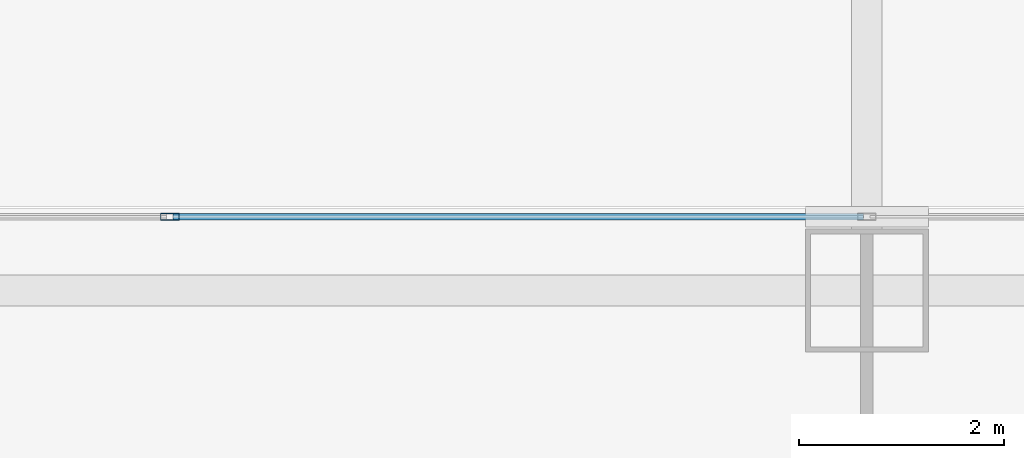
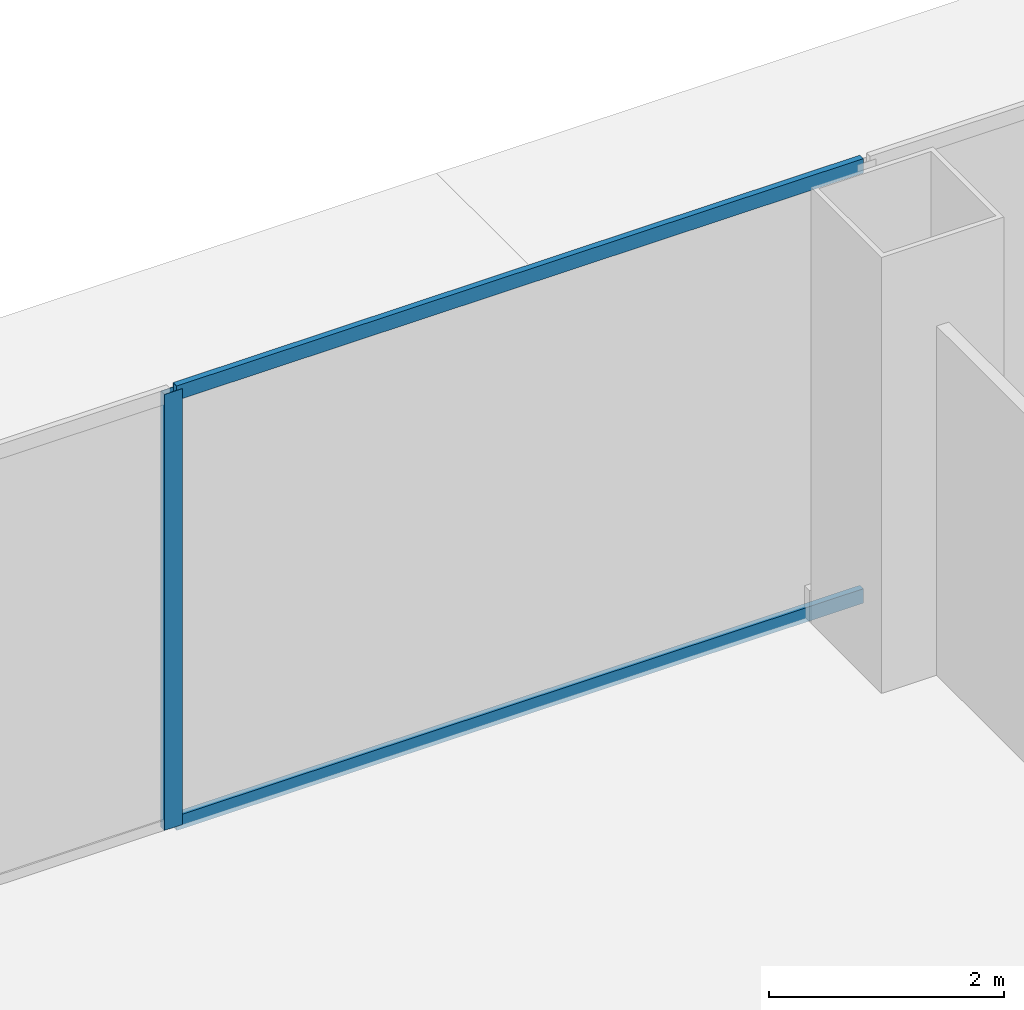
# One storey, part 22 of 42: 3 members, 1 element without a shape of its own.
"""IFC4 building model written with IfcOpenShell, lengths in metres."""

from ifc_helpers import new_model, si_unit, direction, frame, origin, origin_2d, place, context, subcontext, project, spatial, hollow_rectangle, extrude, source, transform, mapped, material, layer, layer_set, material_profile, profile_set, type_object, element, aggregate, save


model = new_model("IFC4")

# Units and contexts
model_context = context("Model", 3, precision=1e-05, world=origin(), true_north=direction((0.0, 1.0)))
body_context = subcontext(model_context, "Body", "Model", "MODEL_VIEW")
ifc_project = project(units=[si_unit("LENGTHUNIT", "METRE"), si_unit("AREAUNIT", "SQUARE_METRE"), si_unit("VOLUMEUNIT", "CUBIC_METRE"), si_unit("PLANEANGLEUNIT", "RADIAN"), si_unit("MASSUNIT", "GRAM", prefix="KILO"), si_unit("THERMODYNAMICTEMPERATUREUNIT", "KELVIN"), si_unit("POWERUNIT", "WATT")], contexts=[model_context])

# Site, building, storey
site_placement = place(None, origin())
site = spatial("IfcSite", under=ifc_project, at=site_placement, CompositionType="ELEMENT")
building_placement = place(site_placement, origin())
building = spatial("IfcBuilding", under=site, at=building_placement, Name="Yunzhuo Pagoda Commons", CompositionType="ELEMENT")
storey_placement = place(building_placement, frame((0.0, 0.0, 4.800048828125)))
storey = spatial("IfcBuildingStorey", under=building, at=storey_placement, Name="L02", CompositionType="ELEMENT", Elevation=4.800048828125)

# Curtain wall, members
ifc_material = material(Name="Anodized aluminium 6063-T6", Category="aluminium")
ifc_layer = layer(ifc_material, 0.179931640625)
ifc_layer_set = layer_set([ifc_layer], Name="Anodized aluminium 6063-T6")
curtain_wall_type = type_object("IfcCurtainWallType", Name="CW-POD Waterfront Podium Curtain Wall", PredefinedType="NOTDEFINED", material=ifc_layer_set)
curtain_wall_placement = place(storey_placement, origin())
curtain_wall = element("IfcCurtainWall", 1, at=curtain_wall_placement, inside=storey, type_object=curtain_wall_type, Name="L02 curtain wall CW-L02-N3", PredefinedType="NOTDEFINED")
ifc_material_profile_1 = material_profile(ifc_material, hollow_rectangle(XDim=0.06494140625, YDim=0.179931640625, WallThickness=0.00390625, at=origin_2d()), Name="Anodized aluminium 6063-T6")
ifc_profile_set_1 = profile_set([ifc_material_profile_1], Name="Anodized aluminium 6063-T6")
member_type_1 = type_object("IfcMemberType", Name="CW-POD-M Mullion RHS 180x65x4", PredefinedType="MULLION", material=ifc_profile_set_1)
shared_shape_1 = source(origin(), body_context, "Body", "SweptSolid", [
    extrude(hollow_rectangle(XDim=0.06494140625, YDim=0.179931640625, WallThickness=0.00390625, at=origin_2d()), origin(), (0.0, 0.0, 1.0), 4.52001953125),
])
member_1_placement = place(storey_placement, frame((41.199951171875, 89.919921875, 0.0), z_axis=(0.0, 0.0, 1.0), x_axis=(0.0, 1.0, 0.0)))
member_1 = element("IfcMember", 2, at=member_1_placement, type_object=member_type_1, Name="CW mullion 2", PredefinedType="MULLION", context=body_context, shape_type="MappedRepresentation", body=[
    mapped(shared_shape_1, transform((0.0, 0.0, 0.0), scale=1.0)),
])
ifc_material_profile_2 = material_profile(ifc_material, hollow_rectangle(XDim=0.06005859375, YDim=0.14990234375, WallThickness=0.00390625, at=origin_2d()), Name="Anodized aluminium 6063-T6")
ifc_profile_set_2 = profile_set([ifc_material_profile_2], Name="Anodized aluminium 6063-T6")
member_type_2 = type_object("IfcMemberType", Name="CW-POD-T Transom RHS 150x60x4", PredefinedType="USERDEFINED", material=ifc_profile_set_2)
shared_shape_2 = source(origin(), body_context, "Body", "SweptSolid", [
    extrude(hollow_rectangle(XDim=0.06005859375, YDim=0.14990234375, WallThickness=0.00390625, at=origin_2d()), origin(), (0.0, 0.0, 1.0), 6.735107421875),
])
member_2_placement = place(storey_placement, frame((41.232421875, 89.919921875, 0.030029296875), z_axis=(1.0, 0.0, 0.0), x_axis=(0.0, 1.0, 0.0)))
member_2 = element("IfcMember", 3, at=member_2_placement, type_object=member_type_2, Name="CW transom 2.1", ObjectType="TRANSOM", PredefinedType="USERDEFINED", context=body_context, shape_type="MappedRepresentation", body=[
    mapped(shared_shape_2, transform((0.0, 0.0, 0.0), scale=1.0)),
])
member_3_placement = place(storey_placement, frame((41.232421875, 89.919921875, 4.489990234375), z_axis=(1.0, 0.0, 0.0), x_axis=(0.0, 1.0, 0.0)))
member_3 = element("IfcMember", 4, at=member_3_placement, type_object=member_type_2, Name="CW transom 2.2", ObjectType="TRANSOM", PredefinedType="USERDEFINED", context=body_context, shape_type="MappedRepresentation", body=[
    mapped(shared_shape_2, transform((0.0, 0.0, 0.0), scale=1.0)),
])
aggregate(curtain_wall, [member_1, member_2, member_3])

save(model, "model.ifc")
